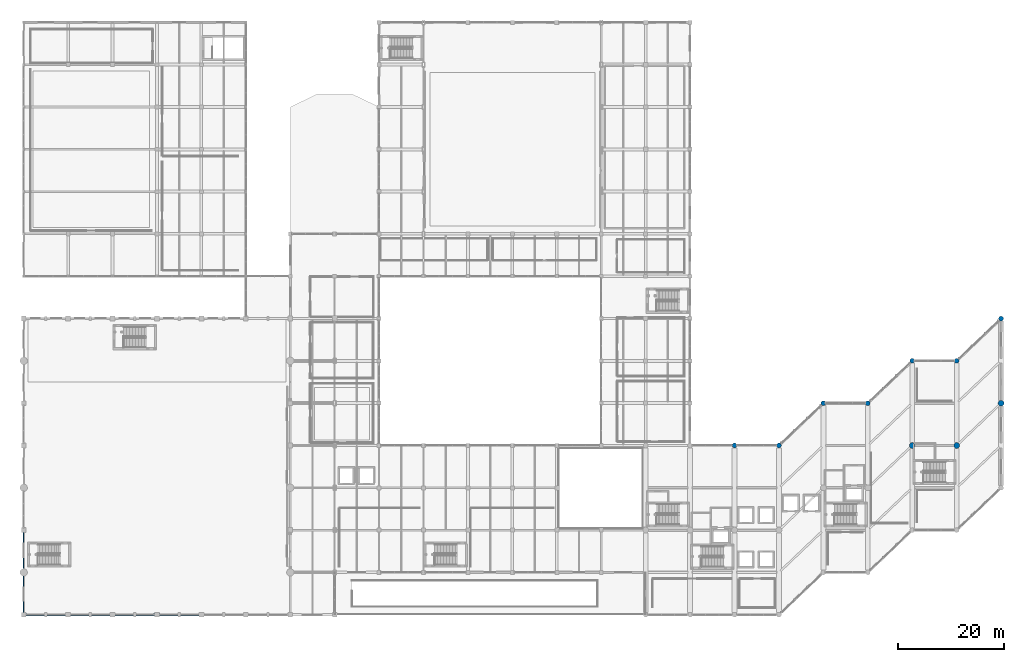
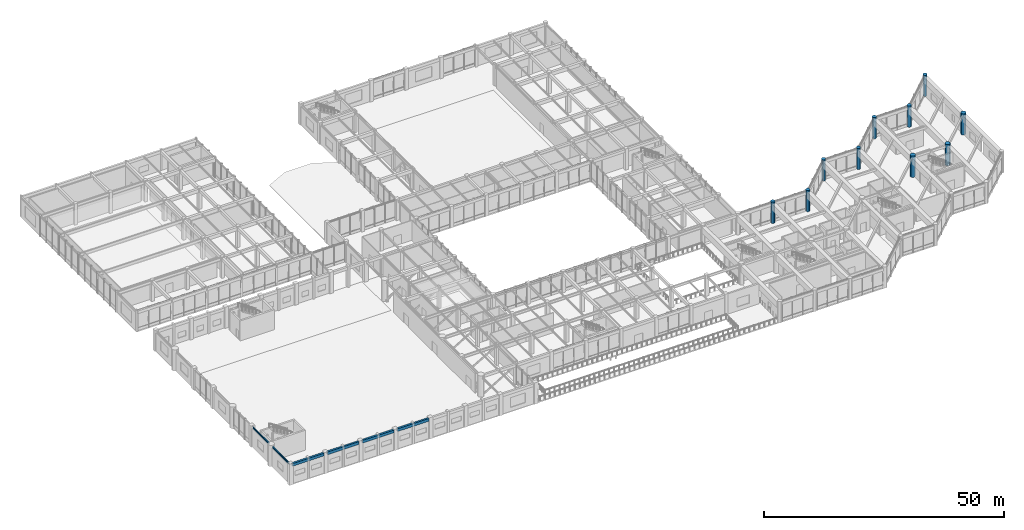
# One storey, part 17 of 79: 10 columns, 6 beams.
"""IFC4 building model written with IfcOpenShell, lengths in metres."""

from ifc_helpers import new_model, si_unit, direction, frame, origin, origin_2d, place, context, subcontext, project, spatial, rectangle, circle, i_section, extrude, material, material_profile, profile_set, type_object, element, save


model = new_model("IFC4")

# Units and contexts
model_context = context("Model", 3, precision=1e-05, world=origin(), true_north=direction((0.0, 1.0)))
body_context = subcontext(model_context, "Body", "Model", "MODEL_VIEW")
ifc_project = project(units=[si_unit("LENGTHUNIT", "METRE"), si_unit("AREAUNIT", "SQUARE_METRE"), si_unit("VOLUMEUNIT", "CUBIC_METRE"), si_unit("PLANEANGLEUNIT", "RADIAN"), si_unit("MASSUNIT", "GRAM", prefix="KILO")], contexts=[model_context])

# Site, building, storey
site_placement = place(None, origin())
site = spatial("IfcSite", under=ifc_project, at=site_placement, CompositionType="ELEMENT")
building_placement = place(site_placement, origin())
building = spatial("IfcBuilding", under=site, at=building_placement, Name="Naruveol Harbour Congress Hotel", CompositionType="ELEMENT")
storey_placement = place(building_placement, frame((0.0, 0.0, 6.0)))
storey = spatial("IfcBuildingStorey", under=building, at=storey_placement, Name="L01", CompositionType="ELEMENT", Elevation=6.0)

# Columns
ifc_material_1 = material(Name="Concrete C50/60", Category="concrete")
ifc_material_profile_1 = material_profile(ifc_material_1, circle(Radius=0.449951171875, at=origin_2d()), Name="RC-D900")
ifc_profile_set_1 = profile_set([ifc_material_profile_1], Name="Concrete C50/60")
column_type_1 = type_object("IfcColumnType", Name="RC HARBOUR PILOTIS D900", PredefinedType="COLUMN", material=ifc_profile_set_1)
for number, where, z_axis, x_axis, name in (
    (1, (134.39990234375, 32.0, 0.0), (0.0, 0.0, 1.0), (1.0, 0.0, 0.0), "Column C-PD900 L01 (134.4,32.0)"),
    (2, (142.800048828125, 32.0, 0.0), (0.0, 0.0, 1.0), (1.0, 0.0, 0.0), "Column C-PD900 L01 (142.8,32.0)"),
    (3, (151.199951171875, 40.0, 0.0), (0.0, 0.0, 1.0), (1.0, 0.0, 0.0), "Column C-PD900 L01 (151.2,40.0)"),
    (4, (159.60009765625, 40.0, 0.0), (0.0, 0.0, 1.0), (1.0, 0.0, 0.0), "Column C-PD900 L01 (159.6,40.0)"),
    (5, (168.0, 48.0, 0.0), (0.0, 0.0, 1.0), (1.0, 0.0, 0.0), "Column C-PD900 L01 (168.0,48.0)"),
    (6, (176.39990234375, 48.0, 0.0), (0.0, 0.0, 1.0), (1.0, 0.0, 0.0), "Column C-PD900 L01 (176.4,48.0)"),
    (7, (184.800048828125, 56.0, 0.0), (0.0, 0.0, 1.0), (1.0, 0.0, 0.0), "Column C-PD900 L01 (184.8,56.0)"),
):
    element("IfcColumn", number, at=place(storey_placement, frame(where, z_axis=z_axis, x_axis=x_axis)), inside=storey, type_object=column_type_1, Name=name, PredefinedType="COLUMN", context=body_context, shape_type="SweptSolid", body=[
        extrude(circle(Radius=0.449951171875, at=origin_2d()), origin(), (0.0, 0.0, 1.0), 5.39990234375),
    ])
ifc_material_2 = material(Name="Concrete C50/60", Category="concrete")
ifc_material_profile_2 = material_profile(ifc_material_2, circle(Radius=0.550048828125, at=origin_2d()), Name="RC-D1100")
ifc_profile_set_2 = profile_set([ifc_material_profile_2], Name="Concrete C50/60")
column_type_2 = type_object("IfcColumnType", Name="RC TRANSFER PILOTIS D1100", PredefinedType="COLUMN", material=ifc_profile_set_2)
for number, where, z_axis, x_axis, name in (
    (8, (168.0, 32.0, 0.0), (0.0, 0.0, 1.0), (1.0, 0.0, 0.0), "Column C-PD1100 L01 (168.0,32.0)"),
    (9, (176.39990234375, 32.0, 0.0), (0.0, 0.0, 1.0), (1.0, 0.0, 0.0), "Column C-PD1100 L01 (176.4,32.0)"),
    (10, (184.800048828125, 40.0, 0.0), (0.0, 0.0, 1.0), (1.0, 0.0, 0.0), "Column C-PD1100 L01 (184.8,40.0)"),
):
    element("IfcColumn", number, at=place(storey_placement, frame(where, z_axis=z_axis, x_axis=x_axis)), inside=storey, type_object=column_type_2, Name=name, PredefinedType="COLUMN", context=body_context, shape_type="SweptSolid", body=[
        extrude(circle(Radius=0.550048828125, at=origin_2d()), origin(), (0.0, 0.0, 1.0), 5.39990234375),
    ])

# Beams
ifc_material_3 = material(Name="Concrete C40/50", Category="concrete")
ifc_material_profile_3 = material_profile(ifc_material_3, rectangle(XDim=0.449951171875, YDim=0.699951171875, at=origin_2d()), Name="RCB-450x700")
ifc_profile_set_3 = profile_set([ifc_material_profile_3], Name="Concrete C40/50")
beam_type_1 = type_object("IfcBeamType", Name="RC SPANDREL BEAM 450X700", PredefinedType="SPANDREL", material=ifc_profile_set_3)
for number, where, z_axis, x_axis, name in (
    (11, (0.446044921875, 0.0, 4.77001953125), (1.0, 0.0, 0.0), (0.0, 1.0, 0.0), "Floor girder L02 SPB1"),
    (12, (8.845947265625, 0.0, 4.77001953125), (1.0, 0.0, 0.0), (0.0, 1.0, 0.0), "Floor girder L02 SPB1"),
):
    element("IfcBeam", number, at=place(storey_placement, frame(where, z_axis=z_axis, x_axis=x_axis)), inside=storey, type_object=beam_type_1, Name=name, PredefinedType="SPANDREL", context=body_context, shape_type="SweptSolid", body=[
        extrude(rectangle(XDim=0.449951171875, YDim=0.699951171875, at=origin_2d()), origin(), (0.0, 0.0, 1.0), 7.508056640625),
    ])
beam_1_placement = place(storey_placement, frame((17.24609375, 0.0, 4.77001953125), z_axis=(1.0, 0.0, 0.0), x_axis=(0.0, 1.0, 0.0)))
element("IfcBeam", 13, at=beam_1_placement, inside=storey, type_object=beam_type_1, Name="Floor girder L02 SPB1", PredefinedType="SPANDREL", context=body_context, shape_type="SweptSolid", body=[
    extrude(rectangle(XDim=0.449951171875, YDim=0.699951171875, at=origin_2d()), origin(), (0.0, 0.0, 1.0), 7.5078125),
])
beam_2_placement = place(storey_placement, frame((25.64599609375, 0.0, 4.77001953125), z_axis=(1.0, 0.0, 0.0), x_axis=(0.0, 1.0, 0.0)))
element("IfcBeam", 14, at=beam_2_placement, inside=storey, type_object=beam_type_1, Name="Floor girder L02 SPB1", PredefinedType="SPANDREL", context=body_context, shape_type="SweptSolid", body=[
    extrude(rectangle(XDim=0.449951171875, YDim=0.699951171875, at=origin_2d()), origin(), (0.0, 0.0, 1.0), 7.508056640625),
])
ifc_material_4 = material(Name="Steel SN490", Category="steel")
ifc_material_profile_4 = material_profile(ifc_material_4, i_section(OverallWidth=0.199951171875, OverallDepth=0.449951171875, WebThickness=0.009033203125, FlangeThickness=0.013916015625, at=origin_2d()), Name="H-450x200x9x14")
ifc_profile_set_4 = profile_set([ifc_material_profile_4], Name="Steel SN490")
beam_type_2 = type_object("IfcBeamType", Name="STEEL SPANDREL EDGE BEAM H450", PredefinedType="SPANDREL", material=ifc_profile_set_4)
for number, where, z_axis, x_axis, name in (
    (15, (0.0, 0.446044921875, 4.89501953125), (0.0, 1.0, 0.0), (-1.0, 0.0, 0.0), "Transverse girder L02 SPB2"),
    (16, (0.0, 8.696044921875, 4.89501953125), (0.0, 1.0, 0.0), (-1.0, 0.0, 0.0), "Transverse girder L02 SPB2"),
):
    element("IfcBeam", number, at=place(storey_placement, frame(where, z_axis=z_axis, x_axis=x_axis)), inside=storey, type_object=beam_type_2, Name=name, PredefinedType="SPANDREL", context=body_context, shape_type="SweptSolid", body=[
        extrude(i_section(OverallWidth=0.199951171875, OverallDepth=0.449951171875, WebThickness=0.009033203125, FlangeThickness=0.013916015625, at=origin_2d()), origin(), (0.0, 0.0, 1.0), 6.85791015625),
    ])

save(model, "model.ifc")
